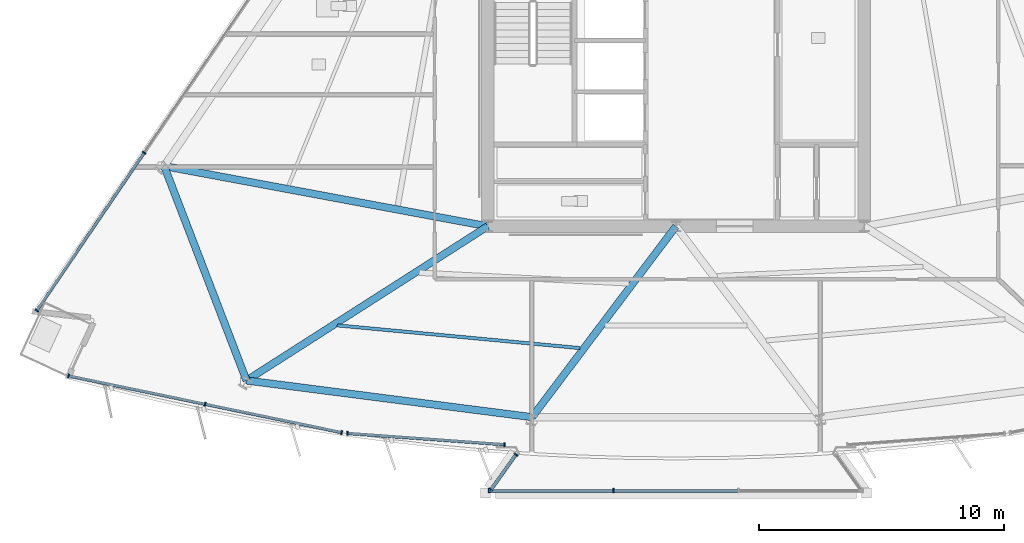
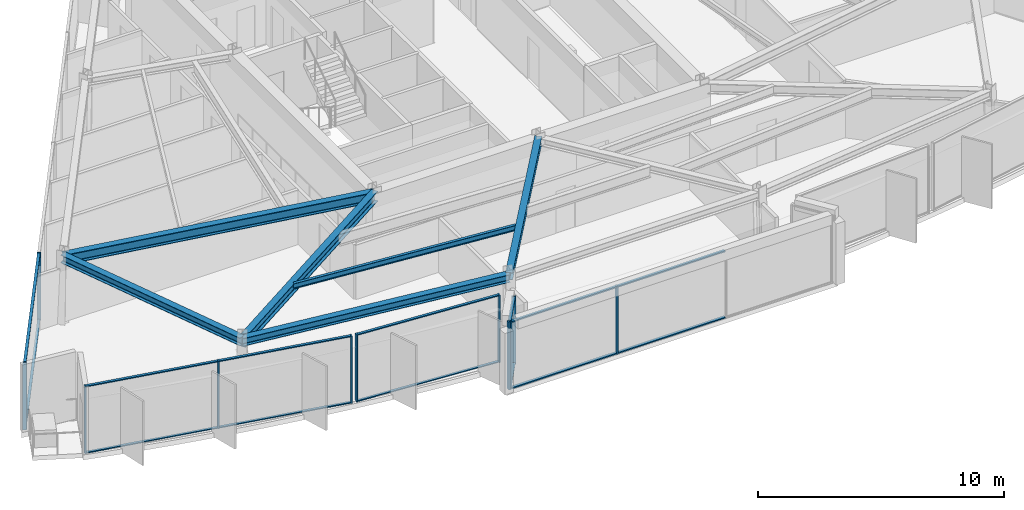
# One storey, part 2 of 15: 25 members, 6 beams, 5 elements without a shape of their own.
"""IFC4 building model written with IfcOpenShell, lengths in metres."""

from ifc_helpers import new_model, si_unit, direction, frame, origin, origin_2d, place, context, subcontext, project, spatial, rectangle, i_section, extrude, material, material_profile, profile_set, type_object, element, aggregate, save


model = new_model("IFC4")

# Units and contexts
model_context = context("Model", 3, precision=1e-05, world=origin(), true_north=direction((0.0, 1.0)))
body_context = subcontext(model_context, "Body", "Model", "MODEL_VIEW")
ifc_project = project(units=[si_unit("LENGTHUNIT", "METRE"), si_unit("AREAUNIT", "SQUARE_METRE"), si_unit("VOLUMEUNIT", "CUBIC_METRE"), si_unit("PLANEANGLEUNIT", "RADIAN"), si_unit("MASSUNIT", "GRAM", prefix="KILO")], contexts=[model_context])

# Site, building, storey
site_placement = place(None, origin())
site = spatial("IfcSite", under=ifc_project, at=site_placement, CompositionType="ELEMENT")
building_placement = place(site_placement, origin())
building = spatial("IfcBuilding", under=site, at=building_placement, Name="Savorim Split Tower", CompositionType="ELEMENT")
storey_placement = place(building_placement, frame((0.0, 0.0, 163.800048828125)))
storey = spatial("IfcBuildingStorey", under=building, at=storey_placement, Name="L43", CompositionType="ELEMENT", Elevation=163.800048828125)

# Beams
ifc_material_1 = material(Name="Steel S355", Category="steel")
ifc_material_profile_1 = material_profile(ifc_material_1, i_section(OverallWidth=0.135009765625, OverallDepth=0.27001953125, WebThickness=0.006591796875, FlangeThickness=0.01025390625, FilletRadius=0.014892578125, at=origin_2d()), Name="IPE 270")
ifc_profile_set_1 = profile_set([ifc_material_profile_1], Name="Steel S355")
beam_type_1 = type_object("IfcBeamType", Name="BM-JST-IPE270", PredefinedType="JOIST", material=ifc_profile_set_1)
beam_1_placement = place(storey_placement, frame((-13.852783203125, -13.45068359375, 3.21484375), z_axis=(0.995642613937, -0.093251194694, 0.0), x_axis=(0.093251194694, 0.995642613937, 0.0)))
element("IfcBeam", 1, at=beam_1_placement, inside=storey, type_object=beam_type_1, Name="L43 Secondary Floor Joist JS-01", PredefinedType="JOIST", context=body_context, shape_type="SweptSolid", body=[
    extrude(i_section(OverallWidth=0.135009765625, OverallDepth=0.27001953125, WebThickness=0.006591796875, FlangeThickness=0.01025390625, FilletRadius=0.014892578125, at=origin_2d()), origin(), (0.0, 0.0, 1.0), 9.9697265625),
])
ifc_material_profile_2 = material_profile(ifc_material_1, i_section(OverallWidth=0.300048828125, OverallDepth=0.360107421875, WebThickness=0.012451171875, FlangeThickness=0.0224609375, FilletRadius=0.027099609375, at=origin_2d()), Name="HEB 360")
ifc_profile_set_2 = profile_set([ifc_material_profile_2], Name="Steel S355")
beam_type_2 = type_object("IfcBeamType", Name="BM-PRI-HEB360", PredefinedType="BEAM", material=ifc_profile_set_2)
beam_2_placement = place(storey_placement, frame((-5.885986328125, -17.205078125, 3.169921875), z_axis=(0.602099746587, 0.798420875954, 0.0), x_axis=(-0.798420875954, 0.602099746587, 0.0)))
element("IfcBeam", 2, at=beam_2_placement, inside=storey, type_object=beam_type_2, Name="L43 Primary Floor Girder RG-02", PredefinedType="BEAM", context=body_context, shape_type="SweptSolid", body=[
    extrude(i_section(OverallWidth=0.300048828125, OverallDepth=0.360107421875, WebThickness=0.012451171875, FlangeThickness=0.0224609375, FilletRadius=0.027099609375, at=origin_2d()), origin(), (0.0, 0.0, 1.0), 9.77587890625),
])
ifc_material_profile_3 = material_profile(ifc_material_1, i_section(OverallWidth=0.300048828125, OverallDepth=0.5, WebThickness=0.014404296875, FlangeThickness=0.028076171875, FilletRadius=0.027099609375, at=origin_2d()), Name="HEB 500")
ifc_profile_set_3 = profile_set([ifc_material_profile_3], Name="Steel S355")
beam_type_3 = type_object("IfcBeamType", Name="BM-PRI-HEB500", PredefinedType="BEAM", material=ifc_profile_set_3)
beam_3_placement = place(storey_placement, frame((-17.5625, -15.7060546875, 3.099853515625), z_axis=(0.842499339053, 0.538697376729, 0.0), x_axis=(-0.538697376729, 0.842499339053, 0.0)))
element("IfcBeam", 3, at=beam_3_placement, inside=storey, type_object=beam_type_3, Name="L43 Primary Floor Girder RG-01", PredefinedType="BEAM", context=body_context, shape_type="SweptSolid", body=[
    extrude(i_section(OverallWidth=0.300048828125, OverallDepth=0.5, WebThickness=0.014404296875, FlangeThickness=0.028076171875, FilletRadius=0.027099609375, at=origin_2d()), origin(), (0.0, 0.0, 1.0), 11.706298828125),
])
beam_4_placement = place(storey_placement, frame((-20.93115234375, -6.936279296875, 3.099853515625), z_axis=(0.983103260238, -0.183051849784, 0.0), x_axis=(0.183051849784, 0.983103260238, 0.0)))
element("IfcBeam", 4, at=beam_4_placement, inside=storey, type_object=beam_type_3, Name="L43 Primary Floor Girder RG-10", PredefinedType="BEAM", context=body_context, shape_type="SweptSolid", body=[
    extrude(i_section(OverallWidth=0.300048828125, OverallDepth=0.5, WebThickness=0.014404296875, FlangeThickness=0.028076171875, FilletRadius=0.027099609375, at=origin_2d()), origin(), (0.0, 0.0, 1.0), 13.45849609375),
])
ifc_material_profile_4 = material_profile(ifc_material_1, i_section(OverallWidth=0.300048828125, OverallDepth=0.389892578125, WebThickness=0.010986328125, FlangeThickness=0.01904296875, FilletRadius=0.027099609375, at=origin_2d()), Name="HEA 400")
ifc_profile_set_4 = profile_set([ifc_material_profile_4], Name="Steel S355")
beam_type_4 = type_object("IfcBeamType", Name="BM-SPN-HEA400", PredefinedType="SPANDREL", material=ifc_profile_set_4)
beam_5_placement = place(storey_placement, frame((-17.5625, -15.7060546875, 3.155029296875), z_axis=(0.991859851892, -0.127334340239, 0.0), x_axis=(0.127334340239, 0.991859851892, 0.0)))
element("IfcBeam", 5, at=beam_5_placement, inside=storey, type_object=beam_type_4, Name="L43 Perimeter Spandrel Beam 1", PredefinedType="SPANDREL", context=body_context, shape_type="SweptSolid", body=[
    extrude(i_section(OverallWidth=0.300048828125, OverallDepth=0.389892578125, WebThickness=0.010986328125, FlangeThickness=0.01904296875, FilletRadius=0.027099609375, at=origin_2d()), origin(), (0.0, 0.0, 1.0), 11.7724609375),
])
beam_6_placement = place(storey_placement, frame((-20.93115234375, -6.936279296875, 3.155029296875), z_axis=(0.35857677414, -0.933500239447, 0.0), x_axis=(0.933500239447, 0.35857677414, 0.0)))
element("IfcBeam", 6, at=beam_6_placement, inside=storey, type_object=beam_type_4, Name="L43 Perimeter Spandrel Beam 10", PredefinedType="SPANDREL", context=body_context, shape_type="SweptSolid", body=[
    extrude(i_section(OverallWidth=0.300048828125, OverallDepth=0.389892578125, WebThickness=0.010986328125, FlangeThickness=0.01904296875, FilletRadius=0.027099609375, at=origin_2d()), origin(), (0.0, 0.0, 1.0), 9.39453125),
])

# Curtain wall, members
ifc_material_2 = material(Name="Dark Ceramic-Fritted Insulated Glass", Category="glass")
curtain_wall_type_1 = type_object("IfcCurtainWallType", Name="CW-TWR-FRIT-B", PredefinedType="NOTDEFINED", material=ifc_material_2)
curtain_wall_1_placement = place(storey_placement, origin())
curtain_wall_1 = element("IfcCurtainWall", 7, at=curtain_wall_1_placement, inside=storey, type_object=curtain_wall_type_1, Name="L43 Curtain Wall CW-L43-SF1A", PredefinedType="NOTDEFINED")
ifc_material_3 = material(Name="Charcoal Anodised Aluminium", Category="aluminium")
ifc_material_profile_5 = material_profile(ifc_material_3, rectangle(XDim=0.159912109375, YDim=0.06005859375, at=origin_2d()), Name="ALU-M 160x60")
ifc_profile_set_5 = profile_set([ifc_material_profile_5], Name="Charcoal Anodised Aluminium")
member_type_1 = type_object("IfcMemberType", Name="CWM-160x60", PredefinedType="MULLION", material=ifc_profile_set_5)
member_1_placement = place(storey_placement, frame((-24.84033203125, -15.516845703125, 0.0), z_axis=(0.0, 0.0, 1.0), x_axis=(0.20321645683, 0.979133837467, 0.0)))
member_1 = element("IfcMember", 8, at=member_1_placement, type_object=member_type_1, Name="CW-03 mullion 1", PredefinedType="MULLION", context=body_context, shape_type="SweptSolid", body=[
    extrude(rectangle(XDim=0.159912109375, YDim=0.06005859375, at=origin_2d()), origin(), (0.0, 0.0, 1.0), 3.349853515625),
])
member_2_placement = place(storey_placement, frame((-19.257080078125, -16.67578125, 0.0), z_axis=(0.0, 0.0, 1.0), x_axis=(0.20321645683, 0.979133837467, 0.0)))
member_2 = element("IfcMember", 9, at=member_2_placement, type_object=member_type_1, Name="CW-03 mullion 2", PredefinedType="MULLION", context=body_context, shape_type="SweptSolid", body=[
    extrude(rectangle(XDim=0.159912109375, YDim=0.06005859375, at=origin_2d()), origin(), (0.0, 0.0, 1.0), 3.349853515625),
])
member_3_placement = place(storey_placement, frame((-13.673583984375, -17.83447265625, 0.0), z_axis=(0.0, 0.0, 1.0), x_axis=(0.20321645683, 0.979133837467, 0.0)))
member_3 = element("IfcMember", 10, at=member_3_placement, type_object=member_type_1, Name="CW-03 mullion 3", PredefinedType="MULLION", context=body_context, shape_type="SweptSolid", body=[
    extrude(rectangle(XDim=0.159912109375, YDim=0.06005859375, at=origin_2d()), origin(), (0.0, 0.0, 1.0), 3.349853515625),
])

curtain_wall_2_placement = place(storey_placement, origin())
curtain_wall_2 = element("IfcCurtainWall", 11, at=curtain_wall_2_placement, inside=storey, type_object=curtain_wall_type_1, Name="L43 Curtain Wall CW-L43-SF2A", PredefinedType="NOTDEFINED")
member_4_placement = place(storey_placement, frame((-13.4326171875, -17.8681640625, 0.0), z_axis=(0.0, 0.0, 1.0), x_axis=(0.071557566389, 0.997436471507, 0.0)))
member_4 = element("IfcMember", 12, at=member_4_placement, type_object=member_type_1, Name="CW-03 mullion 1", PredefinedType="MULLION", context=body_context, shape_type="SweptSolid", body=[
    extrude(rectangle(XDim=0.159912109375, YDim=0.06005859375, at=origin_2d()), origin(), (0.0, 0.0, 1.0), 3.349853515625),
])
member_5_placement = place(storey_placement, frame((-7.009521484375, -18.328857421875, 0.0), z_axis=(0.0, 0.0, 1.0), x_axis=(0.071557566389, 0.997436471507, 0.0)))
member_5 = element("IfcMember", 13, at=member_5_placement, type_object=member_type_1, Name="CW-03 mullion 2", PredefinedType="MULLION", context=body_context, shape_type="SweptSolid", body=[
    extrude(rectangle(XDim=0.159912109375, YDim=0.06005859375, at=origin_2d()), origin(), (0.0, 0.0, 1.0), 3.349853515625),
])

curtain_wall_3_placement = place(storey_placement, origin())
curtain_wall_3 = element("IfcCurtainWall", 14, at=curtain_wall_3_placement, inside=storey, type_object=curtain_wall_type_1, Name="L43 Curtain Wall CW-L43-WEST", PredefinedType="NOTDEFINED")
member_6_placement = place(storey_placement, frame((-21.74560546875, -6.392333984375, 0.0), z_axis=(0.0, 0.0, 1.0), x_axis=(0.826819248854, -0.562467714384, 0.0)))
member_6 = element("IfcMember", 15, at=member_6_placement, type_object=member_type_1, Name="CW-03 mullion 4", PredefinedType="MULLION", context=body_context, shape_type="SweptSolid", body=[
    extrude(rectangle(XDim=0.159912109375, YDim=0.06005859375, at=origin_2d()), origin(), (0.0, 0.0, 1.0), 3.349853515625),
])
member_7_placement = place(storey_placement, frame((-26.13818359375, -12.849365234375, 0.0), z_axis=(0.0, 0.0, 1.0), x_axis=(0.826819248854, -0.562467714384, 0.0)))
member_7 = element("IfcMember", 16, at=member_7_placement, type_object=member_type_1, Name="CW-03 mullion 5", PredefinedType="MULLION", context=body_context, shape_type="SweptSolid", body=[
    extrude(rectangle(XDim=0.159912109375, YDim=0.06005859375, at=origin_2d()), origin(), (0.0, 0.0, 1.0), 3.349853515625),
])

curtain_wall_type_2 = type_object("IfcCurtainWallType", Name="CW-BAY-LOUNGE", PredefinedType="NOTDEFINED", material=ifc_material_2)
curtain_wall_4_placement = place(storey_placement, origin())
curtain_wall_4 = element("IfcCurtainWall", 17, at=curtain_wall_4_placement, inside=storey, type_object=curtain_wall_type_2, Name="L43 Curtain Wall CW-L43-BAYF", PredefinedType="NOTDEFINED")
ifc_material_profile_6 = material_profile(ifc_material_3, rectangle(XDim=0.179931640625, YDim=0.06494140625, at=origin_2d()), Name="ALU-M 180x65")
ifc_profile_set_6 = profile_set([ifc_material_profile_6], Name="Charcoal Anodised Aluminium")
member_type_2 = type_object("IfcMemberType", Name="CWM-180x65", PredefinedType="MULLION", material=ifc_profile_set_6)
member_8_placement = place(storey_placement, frame((-7.635986328125, -20.208740234375, 0.0), z_axis=(0.0, 0.0, 1.0), x_axis=(0.0, 1.0, 0.0)))
member_8 = element("IfcMember", 18, at=member_8_placement, type_object=member_type_2, Name="CW-04 mullion 1", PredefinedType="MULLION", context=body_context, shape_type="SweptSolid", body=[
    extrude(rectangle(XDim=0.179931640625, YDim=0.06494140625, at=origin_2d()), origin(), (0.0, 0.0, 1.0), 3.349853515625),
])
member_9_placement = place(storey_placement, frame((-2.55615234375, -20.208740234375, 0.0), z_axis=(0.0, 0.0, 1.0), x_axis=(0.0, 1.0, 0.0)))
member_9 = element("IfcMember", 19, at=member_9_placement, type_object=member_type_2, Name="CW-04 mullion 2", PredefinedType="MULLION", context=body_context, shape_type="SweptSolid", body=[
    extrude(rectangle(XDim=0.179931640625, YDim=0.06494140625, at=origin_2d()), origin(), (0.0, 0.0, 1.0), 3.349853515625),
])

curtain_wall_5_placement = place(storey_placement, origin())
curtain_wall_5 = element("IfcCurtainWall", 20, at=curtain_wall_5_placement, inside=storey, type_object=curtain_wall_type_2, Name="L43 Curtain Wall CW-L43-BAYW", PredefinedType="NOTDEFINED")
member_10_placement = place(storey_placement, frame((-6.540771484375, -18.733154296875, 0.0), z_axis=(0.0, 0.0, 1.0), x_axis=(0.813821837279, -0.581114461331, 0.0)))
member_10 = element("IfcMember", 21, at=member_10_placement, type_object=member_type_2, Name="CW-04 mullion 1", PredefinedType="MULLION", context=body_context, shape_type="SweptSolid", body=[
    extrude(rectangle(XDim=0.179931640625, YDim=0.06494140625, at=origin_2d()), origin(), (0.0, 0.0, 1.0), 3.349853515625),
])
member_11_placement = place(storey_placement, frame((-7.569091796875, -20.17333984375, 0.0), z_axis=(0.0, 0.0, 1.0), x_axis=(0.813821837279, -0.581114461331, 0.0)))
member_11 = element("IfcMember", 22, at=member_11_placement, type_object=member_type_2, Name="CW-04 mullion 2", PredefinedType="MULLION", context=body_context, shape_type="SweptSolid", body=[
    extrude(rectangle(XDim=0.179931640625, YDim=0.06494140625, at=origin_2d()), origin(), (0.0, 0.0, 1.0), 3.349853515625),
])

# Member
ifc_material_profile_7 = material_profile(ifc_material_3, rectangle(XDim=0.1201171875, YDim=0.050048828125, at=origin_2d()), Name="ALU-T 120x50")
ifc_profile_set_7 = profile_set([ifc_material_profile_7], Name="Charcoal Anodised Aluminium")
member_type_3 = type_object("IfcMemberType", Name="CWT-120x50", PredefinedType="USERDEFINED", material=ifc_profile_set_7)
member_12_placement = place(storey_placement, frame((-24.81103515625, -15.52294921875, 0.02490234375), z_axis=(0.979130263576, -0.203233675727, 0.0), x_axis=(0.203233675727, 0.979130263576, 0.0)))
member_12 = element("IfcMember", 23, at=member_12_placement, type_object=member_type_3, Name="CW-03 transom 1.1", ObjectType="TRANSOM", PredefinedType="USERDEFINED", context=body_context, shape_type="SweptSolid", body=[
    extrude(rectangle(XDim=0.1201171875, YDim=0.050048828125, at=origin_2d()), origin(), (0.0, 0.0, 1.0), 5.642333984375),
])

member_13_placement = place(storey_placement, frame((-24.81103515625, -15.52294921875, 3.324951171875), z_axis=(0.979130263576, -0.203233675727, 0.0), x_axis=(0.203233675727, 0.979130263576, 0.0)))
member_13 = element("IfcMember", 24, at=member_13_placement, type_object=member_type_3, Name="CW-03 transom 1.2", ObjectType="TRANSOM", PredefinedType="USERDEFINED", context=body_context, shape_type="SweptSolid", body=[
    extrude(rectangle(XDim=0.1201171875, YDim=0.050048828125, at=origin_2d()), origin(), (0.0, 0.0, 1.0), 5.642333984375),
])

member_14_placement = place(storey_placement, frame((-19.2275390625, -16.681884765625, 0.02490234375), z_axis=(0.979137086362, -0.203200802437, 0.0), x_axis=(0.203200802437, 0.979137086362, 0.0)))
member_14 = element("IfcMember", 25, at=member_14_placement, type_object=member_type_3, Name="CW-03 transom 2.1", ObjectType="TRANSOM", PredefinedType="USERDEFINED", context=body_context, shape_type="SweptSolid", body=[
    extrude(rectangle(XDim=0.1201171875, YDim=0.050048828125, at=origin_2d()), origin(), (0.0, 0.0, 1.0), 5.64208984375),
])

member_15_placement = place(storey_placement, frame((-19.2275390625, -16.681884765625, 3.324951171875), z_axis=(0.979137086362, -0.203200802437, 0.0), x_axis=(0.203200802437, 0.979137086362, 0.0)))
member_15 = element("IfcMember", 26, at=member_15_placement, type_object=member_type_3, Name="CW-03 transom 2.2", ObjectType="TRANSOM", PredefinedType="USERDEFINED", context=body_context, shape_type="SweptSolid", body=[
    extrude(rectangle(XDim=0.1201171875, YDim=0.050048828125, at=origin_2d()), origin(), (0.0, 0.0, 1.0), 5.64208984375),
])

aggregate(curtain_wall_1, [member_1, member_2, member_3, member_12, member_13, member_14, member_15])

member_16_placement = place(storey_placement, frame((-13.402587890625, -17.8701171875, 0.02490234375), z_axis=(0.997436116072, -0.071562520605, 0.0), x_axis=(0.071562520605, 0.997436116072, 0.0)))
member_16 = element("IfcMember", 27, at=member_16_placement, type_object=member_type_3, Name="CW-03 transom 1.1", ObjectType="TRANSOM", PredefinedType="USERDEFINED", context=body_context, shape_type="SweptSolid", body=[
    extrude(rectangle(XDim=0.1201171875, YDim=0.050048828125, at=origin_2d()), origin(), (0.0, 0.0, 1.0), 6.379638671875),
])

member_17_placement = place(storey_placement, frame((-13.402587890625, -17.8701171875, 3.324951171875), z_axis=(0.997436116072, -0.071562520605, 0.0), x_axis=(0.071562520605, 0.997436116072, 0.0)))
member_17 = element("IfcMember", 28, at=member_17_placement, type_object=member_type_3, Name="CW-03 transom 1.2", ObjectType="TRANSOM", PredefinedType="USERDEFINED", context=body_context, shape_type="SweptSolid", body=[
    extrude(rectangle(XDim=0.1201171875, YDim=0.050048828125, at=origin_2d()), origin(), (0.0, 0.0, 1.0), 6.379638671875),
])

aggregate(curtain_wall_2, [member_4, member_5, member_16, member_17])

member_18_placement = place(storey_placement, frame((-21.762451171875, -6.4169921875, 0.02490234375), z_axis=(-0.56245477499, -0.826828051103, 0.0), x_axis=(0.826828051103, -0.56245477499, 0.0)))
member_18 = element("IfcMember", 29, at=member_18_placement, type_object=member_type_3, Name="CW-03 transom 4.1", ObjectType="TRANSOM", PredefinedType="USERDEFINED", context=body_context, shape_type="SweptSolid", body=[
    extrude(rectangle(XDim=0.1201171875, YDim=0.050048828125, at=origin_2d()), origin(), (0.0, 0.0, 1.0), 7.749755859375),
])

member_19_placement = place(storey_placement, frame((-21.762451171875, -6.4169921875, 3.324951171875), z_axis=(-0.56245477499, -0.826828051103, 0.0), x_axis=(0.826828051103, -0.56245477499, 0.0)))
member_19 = element("IfcMember", 30, at=member_19_placement, type_object=member_type_3, Name="CW-03 transom 4.2", ObjectType="TRANSOM", PredefinedType="USERDEFINED", context=body_context, shape_type="SweptSolid", body=[
    extrude(rectangle(XDim=0.1201171875, YDim=0.050048828125, at=origin_2d()), origin(), (0.0, 0.0, 1.0), 7.749755859375),
])

aggregate(curtain_wall_3, [member_6, member_7, member_18, member_19])

ifc_material_profile_8 = material_profile(ifc_material_3, rectangle(XDim=0.139892578125, YDim=0.054931640625, at=origin_2d()), Name="ALU-T 140x55")
ifc_profile_set_8 = profile_set([ifc_material_profile_8], Name="Charcoal Anodised Aluminium")
member_type_4 = type_object("IfcMemberType", Name="CWT-140x55", PredefinedType="USERDEFINED", material=ifc_profile_set_8)
member_20_placement = place(storey_placement, frame((-7.603515625, -20.208740234375, 0.02734375), z_axis=(1.0, 0.0, 0.0), x_axis=(0.0, 1.0, 0.0)))
member_20 = element("IfcMember", 31, at=member_20_placement, type_object=member_type_4, Name="CW-04 transom 1.1", ObjectType="TRANSOM", PredefinedType="USERDEFINED", context=body_context, shape_type="SweptSolid", body=[
    extrude(rectangle(XDim=0.139892578125, YDim=0.054931640625, at=origin_2d()), origin(), (0.0, 0.0, 1.0), 5.014892578125),
])

member_21_placement = place(storey_placement, frame((-7.603515625, -20.208740234375, 3.322509765625), z_axis=(1.0, 0.0, 0.0), x_axis=(0.0, 1.0, 0.0)))
member_21 = element("IfcMember", 32, at=member_21_placement, type_object=member_type_4, Name="CW-04 transom 1.2", ObjectType="TRANSOM", PredefinedType="USERDEFINED", context=body_context, shape_type="SweptSolid", body=[
    extrude(rectangle(XDim=0.139892578125, YDim=0.054931640625, at=origin_2d()), origin(), (0.0, 0.0, 1.0), 5.014892578125),
])

member_22_placement = place(storey_placement, frame((-2.523681640625, -20.208740234375, 0.02734375), z_axis=(1.0, 0.0, 0.0), x_axis=(0.0, 1.0, 0.0)))
member_22 = element("IfcMember", 33, at=member_22_placement, type_object=member_type_4, Name="CW-04 transom 2.1", ObjectType="TRANSOM", PredefinedType="USERDEFINED", context=body_context, shape_type="SweptSolid", body=[
    extrude(rectangle(XDim=0.139892578125, YDim=0.054931640625, at=origin_2d()), origin(), (0.0, 0.0, 1.0), 5.04736328125),
])

member_23_placement = place(storey_placement, frame((-2.523681640625, -20.208740234375, 3.322509765625), z_axis=(1.0, 0.0, 0.0), x_axis=(0.0, 1.0, 0.0)))
member_23 = element("IfcMember", 34, at=member_23_placement, type_object=member_type_4, Name="CW-04 transom 2.2", ObjectType="TRANSOM", PredefinedType="USERDEFINED", context=body_context, shape_type="SweptSolid", body=[
    extrude(rectangle(XDim=0.139892578125, YDim=0.054931640625, at=origin_2d()), origin(), (0.0, 0.0, 1.0), 5.04736328125),
])

aggregate(curtain_wall_4, [member_8, member_9, member_20, member_21, member_22, member_23])

member_24_placement = place(storey_placement, frame((-6.5595703125, -18.759521484375, 0.02734375), z_axis=(-0.581116271443, -0.813820544754, 0.0), x_axis=(0.813820544754, -0.581116271443, 0.0)))
member_24 = element("IfcMember", 35, at=member_24_placement, type_object=member_type_4, Name="CW-04 transom 1.1", ObjectType="TRANSOM", PredefinedType="USERDEFINED", context=body_context, shape_type="SweptSolid", body=[
    extrude(rectangle(XDim=0.139892578125, YDim=0.054931640625, at=origin_2d()), origin(), (0.0, 0.0, 1.0), 1.704833984375),
])

member_25_placement = place(storey_placement, frame((-6.5595703125, -18.759521484375, 3.322509765625), z_axis=(-0.581116271443, -0.813820544754, 0.0), x_axis=(0.813820544754, -0.581116271443, 0.0)))
member_25 = element("IfcMember", 36, at=member_25_placement, type_object=member_type_4, Name="CW-04 transom 1.2", ObjectType="TRANSOM", PredefinedType="USERDEFINED", context=body_context, shape_type="SweptSolid", body=[
    extrude(rectangle(XDim=0.139892578125, YDim=0.054931640625, at=origin_2d()), origin(), (0.0, 0.0, 1.0), 1.704833984375),
])

aggregate(curtain_wall_5, [member_10, member_11, member_24, member_25])

save(model, "model.ifc")
